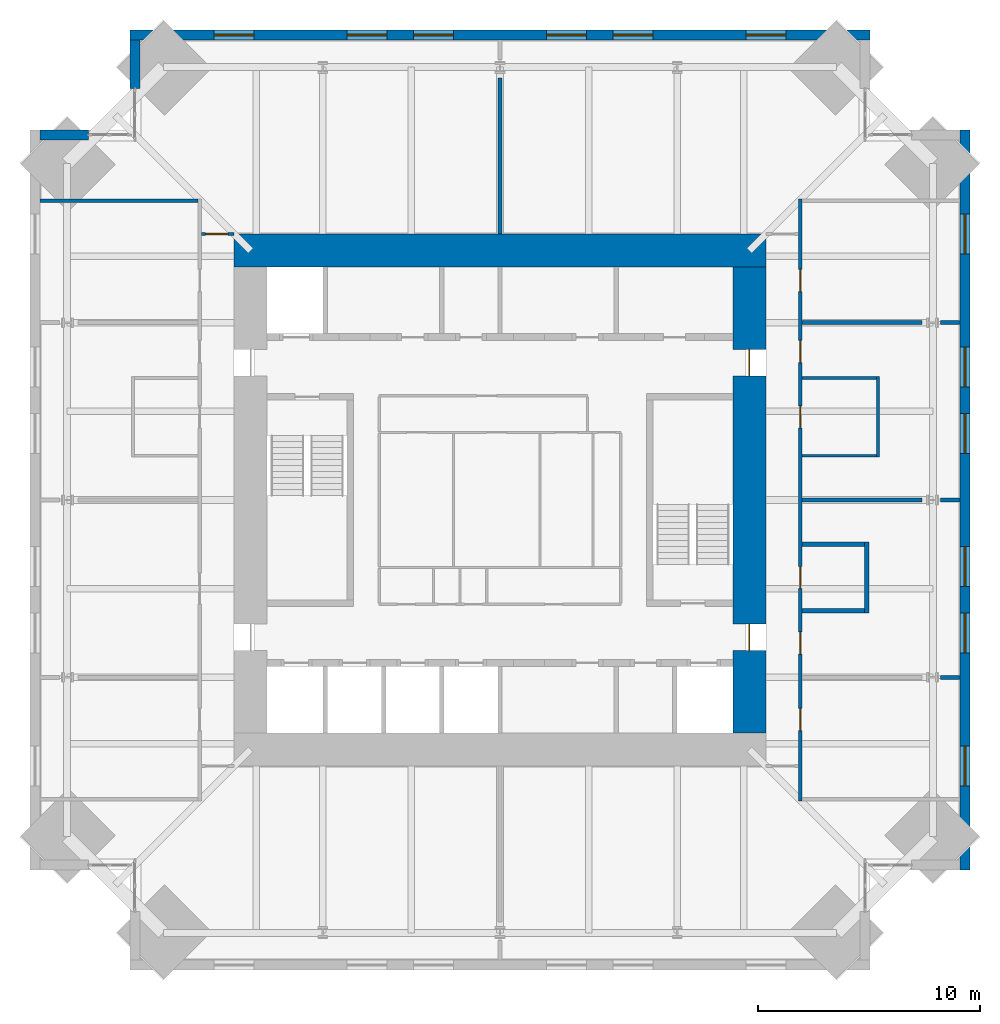
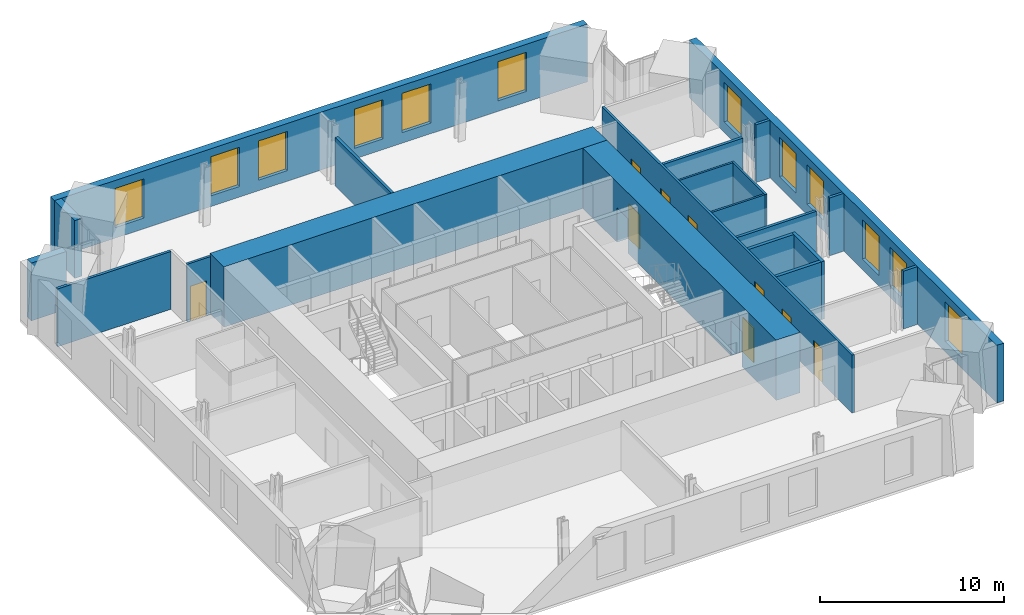
# One storey, part 13 of 15: 21 walls, 12 windows, 9 doors, 21 openings.
"""IFC4 building model written with IfcOpenShell, lengths in metres."""

from ifc_helpers import new_model, si_unit, direction, frame, frame_2d, origin, place, context, subcontext, project, spatial, rectangle, extrude, material, layer, layer_set, type_object, element, fill, save


model = new_model("IFC4")

# Units and contexts
model_context = context("Model", 3, precision=1e-05, world=origin(), true_north=direction((0.0, 1.0)))
body_context = subcontext(model_context, "Body", "Model", "MODEL_VIEW")
ifc_project = project(units=[si_unit("LENGTHUNIT", "METRE"), si_unit("AREAUNIT", "SQUARE_METRE"), si_unit("VOLUMEUNIT", "CUBIC_METRE"), si_unit("PLANEANGLEUNIT", "RADIAN"), si_unit("MASSUNIT", "GRAM", prefix="KILO")], contexts=[model_context])

# Site, building, storey
site_placement = place(None, origin())
site = spatial("IfcSite", under=ifc_project, at=site_placement, CompositionType="ELEMENT")
building_placement = place(site_placement, origin())
building = spatial("IfcBuilding", under=site, at=building_placement, Name="Peilmerk Tower", CompositionType="ELEMENT")
storey_placement = place(building_placement, frame((0.0, 0.0, 281.800048828125)))
storey = spatial("IfcBuildingStorey", under=building, at=storey_placement, Name="L63", CompositionType="ELEMENT", Elevation=281.800048828125)

# Wall, openings, windows
ifc_material_1 = material(Name="Precast concrete C45/55, board-marked finish", Category="concrete")
ifc_layer_1 = layer(ifc_material_1, 0.449951171875)
ifc_layer_set_1 = layer_set([ifc_layer_1], Name="Precast concrete C45/55, board-marked finish")
wall_type_1 = type_object("IfcWallType", Name="EW1 450 precast concrete facade wall, board-marked", PredefinedType="SOLIDWALL", material=ifc_layer_set_1)
wall_1_placement = place(storey_placement, frame((16.699951171875, 20.97509765625, 0.0), z_axis=(0.0, 0.0, 1.0), x_axis=(-1.0, 0.0, 0.0)))
wall_1 = element("IfcWall", 1, at=wall_1_placement, inside=storey, type_object=wall_type_1, Name="Facade wall N L63", PredefinedType="SOLIDWALL", context=body_context, shape_type="SweptSolid", body=[
    extrude(rectangle(XDim=33.39990234375, YDim=0.449951171875, at=frame_2d((16.699951171875, 0.0))), origin(), (0.0, 0.0, 1.0), 3.829833984375),
])
opening_1_placement = place(wall_1_placement, frame((3.800048828125, 0.0, 0.699951171875)))
opening_1 = element("IfcOpeningElement", 2, at=opening_1_placement, cuts=wall_1, Name="Opening W1", PredefinedType="OPENING", context=body_context, shape_type="SweptSolid", body=[
    extrude(rectangle(XDim=1.800048828125, YDim=2.60009765625, at=frame_2d((0.89990234375, 1.300048828125))), frame((0.0, 0.23486328125, 0.0), z_axis=(0.0, -1.0, 0.0), x_axis=(1.0, 0.0, 0.0)), (0.0, 0.0, 1.0), 0.469970703125),
])
opening_2_placement = place(wall_1_placement, frame((9.800048828125, 0.0, 0.699951171875)))
opening_2 = element("IfcOpeningElement", 3, at=opening_2_placement, cuts=wall_1, Name="Opening W1", PredefinedType="OPENING", context=body_context, shape_type="SweptSolid", body=[
    extrude(rectangle(XDim=1.800048828125, YDim=2.60009765625, at=frame_2d((0.89990234375, 1.300048828125))), frame((0.0, 0.23486328125, 0.0), z_axis=(0.0, -1.0, 0.0), x_axis=(1.0, 0.0, 0.0)), (0.0, 0.0, 1.0), 0.469970703125),
])
opening_3_placement = place(wall_1_placement, frame((12.800048828125, 0.0, 0.699951171875)))
opening_3 = element("IfcOpeningElement", 4, at=opening_3_placement, cuts=wall_1, Name="Opening W1", PredefinedType="OPENING", context=body_context, shape_type="SweptSolid", body=[
    extrude(rectangle(XDim=1.800048828125, YDim=2.60009765625, at=frame_2d((0.89990234375, 1.300048828125))), frame((0.0, 0.23486328125, 0.0), z_axis=(0.0, -1.0, 0.0), x_axis=(1.0, 0.0, 0.0)), (0.0, 0.0, 1.0), 0.469970703125),
])
opening_4_placement = place(wall_1_placement, frame((18.800048828125, 0.0, 0.699951171875)))
opening_4 = element("IfcOpeningElement", 5, at=opening_4_placement, cuts=wall_1, Name="Opening W1", PredefinedType="OPENING", context=body_context, shape_type="SweptSolid", body=[
    extrude(rectangle(XDim=1.800048828125, YDim=2.60009765625, at=frame_2d((0.89990234375, 1.300048828125))), frame((0.0, 0.23486328125, 0.0), z_axis=(0.0, -1.0, 0.0), x_axis=(1.0, 0.0, 0.0)), (0.0, 0.0, 1.0), 0.469970703125),
])
opening_5_placement = place(wall_1_placement, frame((21.800048828125, 0.0, 0.699951171875)))
opening_5 = element("IfcOpeningElement", 6, at=opening_5_placement, cuts=wall_1, Name="Opening W1", PredefinedType="OPENING", context=body_context, shape_type="SweptSolid", body=[
    extrude(rectangle(XDim=1.800048828125, YDim=2.60009765625, at=frame_2d((0.89990234375, 1.300048828125))), frame((0.0, 0.23486328125, 0.0), z_axis=(0.0, -1.0, 0.0), x_axis=(1.0, 0.0, 0.0)), (0.0, 0.0, 1.0), 0.469970703125),
])
opening_6_placement = place(wall_1_placement, frame((27.800048828125, 0.0, 0.699951171875)))
opening_6 = element("IfcOpeningElement", 7, at=opening_6_placement, cuts=wall_1, Name="Opening W1", PredefinedType="OPENING", context=body_context, shape_type="SweptSolid", body=[
    extrude(rectangle(XDim=1.800048828125, YDim=2.60009765625, at=frame_2d((0.89990234375, 1.300048828125))), frame((0.0, 0.23486328125, 0.0), z_axis=(0.0, -1.0, 0.0), x_axis=(1.0, 0.0, 0.0)), (0.0, 0.0, 1.0), 0.469970703125),
])
ifc_material_2 = material(Name="Aluminium frame, clear double glazing", Category="aluminium")
window_type = type_object("IfcWindowType", Name="W1 1800x2600 office window", PartitioningType="SINGLE_PANEL", PredefinedType="WINDOW", material=ifc_material_2)
window_1_placement = place(opening_1_placement, origin())
window_1 = element("IfcWindow", 8, at=window_1_placement, inside=storey, type_object=window_type, Name="Window W1 L63", OverallHeight=2.60009765625, OverallWidth=1.800048828125, PartitioningType="SINGLE_PANEL", PredefinedType="WINDOW", context=body_context, shape_type="SweptSolid", body=[
    extrude(rectangle(XDim=1.800048828125, YDim=2.60009765625, at=frame_2d((0.89990234375, 1.300048828125))), frame((0.0, 0.030029296875, 0.0), z_axis=(0.0, -1.0, 0.0), x_axis=(1.0, 0.0, 0.0)), (0.0, 0.0, 1.0), 0.06005859375),
])
fill(opening_1, window_1)
window_2_placement = place(opening_2_placement, origin())
window_2 = element("IfcWindow", 9, at=window_2_placement, inside=storey, type_object=window_type, Name="Window W1 L63", OverallHeight=2.60009765625, OverallWidth=1.800048828125, PartitioningType="SINGLE_PANEL", PredefinedType="WINDOW", context=body_context, shape_type="SweptSolid", body=[
    extrude(rectangle(XDim=1.800048828125, YDim=2.60009765625, at=frame_2d((0.89990234375, 1.300048828125))), frame((0.0, 0.030029296875, 0.0), z_axis=(0.0, -1.0, 0.0), x_axis=(1.0, 0.0, 0.0)), (0.0, 0.0, 1.0), 0.06005859375),
])
fill(opening_2, window_2)
window_3_placement = place(opening_3_placement, origin())
window_3 = element("IfcWindow", 10, at=window_3_placement, inside=storey, type_object=window_type, Name="Window W1 L63", OverallHeight=2.60009765625, OverallWidth=1.800048828125, PartitioningType="SINGLE_PANEL", PredefinedType="WINDOW", context=body_context, shape_type="SweptSolid", body=[
    extrude(rectangle(XDim=1.800048828125, YDim=2.60009765625, at=frame_2d((0.89990234375, 1.300048828125))), frame((0.0, 0.030029296875, 0.0), z_axis=(0.0, -1.0, 0.0), x_axis=(1.0, 0.0, 0.0)), (0.0, 0.0, 1.0), 0.06005859375),
])
fill(opening_3, window_3)
window_4_placement = place(opening_4_placement, origin())
window_4 = element("IfcWindow", 11, at=window_4_placement, inside=storey, type_object=window_type, Name="Window W1 L63", OverallHeight=2.60009765625, OverallWidth=1.800048828125, PartitioningType="SINGLE_PANEL", PredefinedType="WINDOW", context=body_context, shape_type="SweptSolid", body=[
    extrude(rectangle(XDim=1.800048828125, YDim=2.60009765625, at=frame_2d((0.89990234375, 1.300048828125))), frame((0.0, 0.030029296875, 0.0), z_axis=(0.0, -1.0, 0.0), x_axis=(1.0, 0.0, 0.0)), (0.0, 0.0, 1.0), 0.06005859375),
])
fill(opening_4, window_4)
window_5_placement = place(opening_5_placement, origin())
window_5 = element("IfcWindow", 12, at=window_5_placement, inside=storey, type_object=window_type, Name="Window W1 L63", OverallHeight=2.60009765625, OverallWidth=1.800048828125, PartitioningType="SINGLE_PANEL", PredefinedType="WINDOW", context=body_context, shape_type="SweptSolid", body=[
    extrude(rectangle(XDim=1.800048828125, YDim=2.60009765625, at=frame_2d((0.89990234375, 1.300048828125))), frame((0.0, 0.030029296875, 0.0), z_axis=(0.0, -1.0, 0.0), x_axis=(1.0, 0.0, 0.0)), (0.0, 0.0, 1.0), 0.06005859375),
])
fill(opening_5, window_5)
window_6_placement = place(opening_6_placement, origin())
window_6 = element("IfcWindow", 13, at=window_6_placement, inside=storey, type_object=window_type, Name="Window W1 L63", OverallHeight=2.60009765625, OverallWidth=1.800048828125, PartitioningType="SINGLE_PANEL", PredefinedType="WINDOW", context=body_context, shape_type="SweptSolid", body=[
    extrude(rectangle(XDim=1.800048828125, YDim=2.60009765625, at=frame_2d((0.89990234375, 1.300048828125))), frame((0.0, 0.030029296875, 0.0), z_axis=(0.0, -1.0, 0.0), x_axis=(1.0, 0.0, 0.0)), (0.0, 0.0, 1.0), 0.06005859375),
])
fill(opening_6, window_6)

wall_2_placement = place(storey_placement, frame((20.97509765625, -16.699951171875, 0.0), z_axis=(0.0, 0.0, 1.0), x_axis=(0.0, 1.0, 0.0)))
wall_2 = element("IfcWall", 14, at=wall_2_placement, inside=storey, type_object=wall_type_1, Name="Facade wall E L63", PredefinedType="SOLIDWALL", context=body_context, shape_type="SweptSolid", body=[
    extrude(rectangle(XDim=33.39990234375, YDim=0.449951171875, at=frame_2d((16.699951171875, 0.0))), origin(), (0.0, 0.0, 1.0), 3.829833984375),
])
opening_7_placement = place(wall_2_placement, frame((3.800048828125, 0.0, 0.699951171875)))
opening_7 = element("IfcOpeningElement", 15, at=opening_7_placement, cuts=wall_2, Name="Opening W1", PredefinedType="OPENING", context=body_context, shape_type="SweptSolid", body=[
    extrude(rectangle(XDim=1.800048828125, YDim=2.60009765625, at=frame_2d((0.89990234375, 1.300048828125))), frame((0.0, 0.23486328125, 0.0), z_axis=(0.0, -1.0, 0.0), x_axis=(1.0, 0.0, 0.0)), (0.0, 0.0, 1.0), 0.469970703125),
])
opening_8_placement = place(wall_2_placement, frame((9.800048828125, 0.0, 0.699951171875)))
opening_8 = element("IfcOpeningElement", 16, at=opening_8_placement, cuts=wall_2, Name="Opening W1", PredefinedType="OPENING", context=body_context, shape_type="SweptSolid", body=[
    extrude(rectangle(XDim=1.800048828125, YDim=2.60009765625, at=frame_2d((0.89990234375, 1.300048828125))), frame((0.0, 0.23486328125, 0.0), z_axis=(0.0, -1.0, 0.0), x_axis=(1.0, 0.0, 0.0)), (0.0, 0.0, 1.0), 0.469970703125),
])
opening_9_placement = place(wall_2_placement, frame((12.800048828125, 0.0, 0.699951171875)))
opening_9 = element("IfcOpeningElement", 17, at=opening_9_placement, cuts=wall_2, Name="Opening W1", PredefinedType="OPENING", context=body_context, shape_type="SweptSolid", body=[
    extrude(rectangle(XDim=1.800048828125, YDim=2.60009765625, at=frame_2d((0.89990234375, 1.300048828125))), frame((0.0, 0.23486328125, 0.0), z_axis=(0.0, -1.0, 0.0), x_axis=(1.0, 0.0, 0.0)), (0.0, 0.0, 1.0), 0.469970703125),
])
opening_10_placement = place(wall_2_placement, frame((18.800048828125, 0.0, 0.699951171875)))
opening_10 = element("IfcOpeningElement", 18, at=opening_10_placement, cuts=wall_2, Name="Opening W1", PredefinedType="OPENING", context=body_context, shape_type="SweptSolid", body=[
    extrude(rectangle(XDim=1.800048828125, YDim=2.60009765625, at=frame_2d((0.89990234375, 1.300048828125))), frame((0.0, 0.23486328125, 0.0), z_axis=(0.0, -1.0, 0.0), x_axis=(1.0, 0.0, 0.0)), (0.0, 0.0, 1.0), 0.469970703125),
])
opening_11_placement = place(wall_2_placement, frame((21.800048828125, 0.0, 0.699951171875)))
opening_11 = element("IfcOpeningElement", 19, at=opening_11_placement, cuts=wall_2, Name="Opening W1", PredefinedType="OPENING", context=body_context, shape_type="SweptSolid", body=[
    extrude(rectangle(XDim=1.800048828125, YDim=2.60009765625, at=frame_2d((0.89990234375, 1.300048828125))), frame((0.0, 0.23486328125, 0.0), z_axis=(0.0, -1.0, 0.0), x_axis=(1.0, 0.0, 0.0)), (0.0, 0.0, 1.0), 0.469970703125),
])
opening_12_placement = place(wall_2_placement, frame((27.800048828125, 0.0, 0.699951171875)))
opening_12 = element("IfcOpeningElement", 20, at=opening_12_placement, cuts=wall_2, Name="Opening W1", PredefinedType="OPENING", context=body_context, shape_type="SweptSolid", body=[
    extrude(rectangle(XDim=1.800048828125, YDim=2.60009765625, at=frame_2d((0.89990234375, 1.300048828125))), frame((0.0, 0.23486328125, 0.0), z_axis=(0.0, -1.0, 0.0), x_axis=(1.0, 0.0, 0.0)), (0.0, 0.0, 1.0), 0.469970703125),
])
window_7_placement = place(opening_7_placement, origin())
window_7 = element("IfcWindow", 21, at=window_7_placement, inside=storey, type_object=window_type, Name="Window W1 L63", OverallHeight=2.60009765625, OverallWidth=1.800048828125, PartitioningType="SINGLE_PANEL", PredefinedType="WINDOW", context=body_context, shape_type="SweptSolid", body=[
    extrude(rectangle(XDim=1.800048828125, YDim=2.60009765625, at=frame_2d((0.89990234375, 1.300048828125))), frame((0.0, 0.030029296875, 0.0), z_axis=(0.0, -1.0, 0.0), x_axis=(1.0, 0.0, 0.0)), (0.0, 0.0, 1.0), 0.06005859375),
])
fill(opening_7, window_7)
window_8_placement = place(opening_8_placement, origin())
window_8 = element("IfcWindow", 22, at=window_8_placement, inside=storey, type_object=window_type, Name="Window W1 L63", OverallHeight=2.60009765625, OverallWidth=1.800048828125, PartitioningType="SINGLE_PANEL", PredefinedType="WINDOW", context=body_context, shape_type="SweptSolid", body=[
    extrude(rectangle(XDim=1.800048828125, YDim=2.60009765625, at=frame_2d((0.89990234375, 1.300048828125))), frame((0.0, 0.030029296875, 0.0), z_axis=(0.0, -1.0, 0.0), x_axis=(1.0, 0.0, 0.0)), (0.0, 0.0, 1.0), 0.06005859375),
])
fill(opening_8, window_8)
window_9_placement = place(opening_9_placement, origin())
window_9 = element("IfcWindow", 23, at=window_9_placement, inside=storey, type_object=window_type, Name="Window W1 L63", OverallHeight=2.60009765625, OverallWidth=1.800048828125, PartitioningType="SINGLE_PANEL", PredefinedType="WINDOW", context=body_context, shape_type="SweptSolid", body=[
    extrude(rectangle(XDim=1.800048828125, YDim=2.60009765625, at=frame_2d((0.89990234375, 1.300048828125))), frame((0.0, 0.030029296875, 0.0), z_axis=(0.0, -1.0, 0.0), x_axis=(1.0, 0.0, 0.0)), (0.0, 0.0, 1.0), 0.06005859375),
])
fill(opening_9, window_9)
window_10_placement = place(opening_10_placement, origin())
window_10 = element("IfcWindow", 24, at=window_10_placement, inside=storey, type_object=window_type, Name="Window W1 L63", OverallHeight=2.60009765625, OverallWidth=1.800048828125, PartitioningType="SINGLE_PANEL", PredefinedType="WINDOW", context=body_context, shape_type="SweptSolid", body=[
    extrude(rectangle(XDim=1.800048828125, YDim=2.60009765625, at=frame_2d((0.89990234375, 1.300048828125))), frame((0.0, 0.030029296875, 0.0), z_axis=(0.0, -1.0, 0.0), x_axis=(1.0, 0.0, 0.0)), (0.0, 0.0, 1.0), 0.06005859375),
])
fill(opening_10, window_10)
window_11_placement = place(opening_11_placement, origin())
window_11 = element("IfcWindow", 25, at=window_11_placement, inside=storey, type_object=window_type, Name="Window W1 L63", OverallHeight=2.60009765625, OverallWidth=1.800048828125, PartitioningType="SINGLE_PANEL", PredefinedType="WINDOW", context=body_context, shape_type="SweptSolid", body=[
    extrude(rectangle(XDim=1.800048828125, YDim=2.60009765625, at=frame_2d((0.89990234375, 1.300048828125))), frame((0.0, 0.030029296875, 0.0), z_axis=(0.0, -1.0, 0.0), x_axis=(1.0, 0.0, 0.0)), (0.0, 0.0, 1.0), 0.06005859375),
])
fill(opening_11, window_11)
window_12_placement = place(opening_12_placement, origin())
window_12 = element("IfcWindow", 26, at=window_12_placement, inside=storey, type_object=window_type, Name="Window W1 L63", OverallHeight=2.60009765625, OverallWidth=1.800048828125, PartitioningType="SINGLE_PANEL", PredefinedType="WINDOW", context=body_context, shape_type="SweptSolid", body=[
    extrude(rectangle(XDim=1.800048828125, YDim=2.60009765625, at=frame_2d((0.89990234375, 1.300048828125))), frame((0.0, 0.030029296875, 0.0), z_axis=(0.0, -1.0, 0.0), x_axis=(1.0, 0.0, 0.0)), (0.0, 0.0, 1.0), 0.06005859375),
])
fill(opening_12, window_12)

# Walls
for number, where, z_axis, x_axis, name in (
    (27, (-16.47509765625, 18.5537109375, 0.0), (0.0, 0.0, 1.0), (0.0, 1.0, 0.0), "Facade wall NWA L63"),
    (28, (-18.5537109375, 16.47509765625, 0.0), (0.0, 0.0, 1.0), (-1.0, 0.0, 0.0), "Facade wall NWB L63"),
):
    element("IfcWall", number, at=place(storey_placement, frame(where, z_axis=z_axis, x_axis=x_axis)), inside=storey, type_object=wall_type_1, Name=name, PredefinedType="SOLIDWALL", context=body_context, shape_type="SweptSolid", body=[
        extrude(rectangle(XDim=2.1962890625, YDim=0.449951171875, at=frame_2d((1.09814453125, 0.0))), origin(), (0.0, 0.0, 1.0), 3.829833984375),
    ])

# Wall, openings, doors
ifc_material_3 = material(Name="Calcium silicate block", Category="masonry")
ifc_layer_2 = layer(ifc_material_3, 0.14990234375)
ifc_layer_set_2 = layer_set([ifc_layer_2], Name="Calcium silicate block")
wall_type_2 = type_object("IfcWallType", Name="IW1 150 corridor partition, EI 60", PredefinedType="PARTITIONING", material=ifc_layer_set_2)
wall_3_placement = place(storey_placement, frame((13.550048828125, -13.574951171875, 0.0), z_axis=(0.0, 0.0, 1.0), x_axis=(0.0, 1.0, 0.0)))
wall_3 = element("IfcWall", 29, at=wall_3_placement, inside=storey, type_object=wall_type_2, Name="Corridor wall E L63", PredefinedType="PARTITIONING", context=body_context, shape_type="SweptSolid", body=[
    extrude(rectangle(XDim=27.14990234375, YDim=0.14990234375, at=frame_2d((13.574951171875, 0.0))), origin(), (0.0, 0.0, 1.0), 3.829833984375),
])
opening_13_placement = place(wall_3_placement, frame((3.175048828125, 0.0, 0.0)))
opening_13 = element("IfcOpeningElement", 30, at=opening_13_placement, cuts=wall_3, Name="Opening D1", PredefinedType="OPENING", context=body_context, shape_type="SweptSolid", body=[
    extrude(rectangle(XDim=1.0, YDim=2.300048828125, at=frame_2d((0.5, 1.14990234375))), frame((0.0, 0.0849609375, 0.0), z_axis=(0.0, -1.0, 0.0), x_axis=(1.0, 0.0, 0.0)), (0.0, 0.0, 1.0), 0.169921875),
])
opening_14_placement = place(wall_3_placement, frame((6.625, 0.0, 0.0)))
opening_14 = element("IfcOpeningElement", 31, at=opening_14_placement, cuts=wall_3, Name="Opening D1", PredefinedType="OPENING", context=body_context, shape_type="SweptSolid", body=[
    extrude(rectangle(XDim=1.0, YDim=2.300048828125, at=frame_2d((0.5, 1.14990234375))), frame((0.0, 0.0849609375, 0.0), z_axis=(0.0, -1.0, 0.0), x_axis=(1.0, 0.0, 0.0)), (0.0, 0.0, 1.0), 0.169921875),
])
opening_15_placement = place(wall_3_placement, frame((19.77490234375, 0.0, 0.0)))
opening_15 = element("IfcOpeningElement", 32, at=opening_15_placement, cuts=wall_3, Name="Opening D1", PredefinedType="OPENING", context=body_context, shape_type="SweptSolid", body=[
    extrude(rectangle(XDim=1.0, YDim=2.300048828125, at=frame_2d((0.5, 1.14990234375))), frame((0.0, 0.0849609375, 0.0), z_axis=(0.0, -1.0, 0.0), x_axis=(1.0, 0.0, 0.0)), (0.0, 0.0, 1.0), 0.169921875),
])
opening_16_placement = place(wall_3_placement, frame((22.97509765625, 0.0, 0.0)))
opening_16 = element("IfcOpeningElement", 33, at=opening_16_placement, cuts=wall_3, Name="Opening D1", PredefinedType="OPENING", context=body_context, shape_type="SweptSolid", body=[
    extrude(rectangle(XDim=1.0, YDim=2.300048828125, at=frame_2d((0.5, 1.14990234375))), frame((0.0, 0.0849609375, 0.0), z_axis=(0.0, -1.0, 0.0), x_axis=(1.0, 0.0, 0.0)), (0.0, 0.0, 1.0), 0.169921875),
])
opening_17_placement = place(wall_3_placement, frame((16.824951171875, 0.0, 0.0)))
opening_17 = element("IfcOpeningElement", 34, at=opening_17_placement, cuts=wall_3, Name="Opening D1", PredefinedType="OPENING", context=body_context, shape_type="SweptSolid", body=[
    extrude(rectangle(XDim=1.0, YDim=2.300048828125, at=frame_2d((0.5, 1.14990234375))), frame((0.0, 0.0849609375, 0.0), z_axis=(0.0, -1.0, 0.0), x_axis=(1.0, 0.0, 0.0)), (0.0, 0.0, 1.0), 0.169921875),
])
opening_18_placement = place(wall_3_placement, frame((9.574951171875, 0.0, 0.0)))
opening_18 = element("IfcOpeningElement", 35, at=opening_18_placement, cuts=wall_3, Name="Opening D1", PredefinedType="OPENING", context=body_context, shape_type="SweptSolid", body=[
    extrude(rectangle(XDim=1.0, YDim=2.300048828125, at=frame_2d((0.5, 1.14990234375))), frame((0.0, 0.0849609375, 0.0), z_axis=(0.0, -1.0, 0.0), x_axis=(1.0, 0.0, 0.0)), (0.0, 0.0, 1.0), 0.169921875),
])
ifc_material_4 = material(Name="Timber door in steel frame", Category="steel")
door_type_1 = type_object("IfcDoorType", Name="D1 1000x2300 room door, EI2 30", OperationType="SINGLE_SWING_LEFT", PredefinedType="DOOR", material=ifc_material_4)
door_1_placement = place(opening_13_placement, frame((1.0, 0.0, 0.0), z_axis=(0.0, 0.0, 1.0), x_axis=(-1.0, 0.0, 0.0)))
door_1 = element("IfcDoor", 36, at=door_1_placement, inside=storey, type_object=door_type_1, Name="Door Executive office L63", OperationType="SINGLE_SWING_LEFT", OverallHeight=2.300048828125, OverallWidth=1.0, PredefinedType="DOOR", context=body_context, shape_type="SweptSolid", body=[
    extrude(rectangle(XDim=1.0, YDim=2.300048828125, at=frame_2d((0.5, 1.14990234375))), frame((0.0, 0.02490234375, 0.0), z_axis=(0.0, -1.0, 0.0), x_axis=(1.0, 0.0, 0.0)), (0.0, 0.0, 1.0), 0.050048828125),
])
fill(opening_13, door_1)
door_2_placement = place(opening_14_placement, frame((1.0, 0.0, 0.0), z_axis=(0.0, 0.0, 1.0), x_axis=(-1.0, 0.0, 0.0)))
door_2 = element("IfcDoor", 37, at=door_2_placement, inside=storey, type_object=door_type_1, Name="Door Executive office L63", OperationType="SINGLE_SWING_LEFT", OverallHeight=2.300048828125, OverallWidth=1.0, PredefinedType="DOOR", context=body_context, shape_type="SweptSolid", body=[
    extrude(rectangle(XDim=1.0, YDim=2.300048828125, at=frame_2d((0.5, 1.14990234375))), frame((0.0, 0.02490234375, 0.0), z_axis=(0.0, -1.0, 0.0), x_axis=(1.0, 0.0, 0.0)), (0.0, 0.0, 1.0), 0.050048828125),
])
fill(opening_14, door_2)
door_3_placement = place(opening_15_placement, frame((1.0, 0.0, 0.0), z_axis=(0.0, 0.0, 1.0), x_axis=(-1.0, 0.0, 0.0)))
door_3 = element("IfcDoor", 38, at=door_3_placement, inside=storey, type_object=door_type_1, Name="Door Executive office L63", OperationType="SINGLE_SWING_LEFT", OverallHeight=2.300048828125, OverallWidth=1.0, PredefinedType="DOOR", context=body_context, shape_type="SweptSolid", body=[
    extrude(rectangle(XDim=1.0, YDim=2.300048828125, at=frame_2d((0.5, 1.14990234375))), frame((0.0, 0.02490234375, 0.0), z_axis=(0.0, -1.0, 0.0), x_axis=(1.0, 0.0, 0.0)), (0.0, 0.0, 1.0), 0.050048828125),
])
fill(opening_15, door_3)
door_4_placement = place(opening_16_placement, frame((1.0, 0.0, 0.0), z_axis=(0.0, 0.0, 1.0), x_axis=(-1.0, 0.0, 0.0)))
door_4 = element("IfcDoor", 39, at=door_4_placement, inside=storey, type_object=door_type_1, Name="Door Executive office L63", OperationType="SINGLE_SWING_LEFT", OverallHeight=2.300048828125, OverallWidth=1.0, PredefinedType="DOOR", context=body_context, shape_type="SweptSolid", body=[
    extrude(rectangle(XDim=1.0, YDim=2.300048828125, at=frame_2d((0.5, 1.14990234375))), frame((0.0, 0.02490234375, 0.0), z_axis=(0.0, -1.0, 0.0), x_axis=(1.0, 0.0, 0.0)), (0.0, 0.0, 1.0), 0.050048828125),
])
fill(opening_16, door_4)
door_5_placement = place(opening_17_placement, frame((1.0, 0.0, 0.0), z_axis=(0.0, 0.0, 1.0), x_axis=(-1.0, 0.0, 0.0)))
door_5 = element("IfcDoor", 40, at=door_5_placement, inside=storey, type_object=door_type_1, Name="Door Meeting room L63", OperationType="SINGLE_SWING_LEFT", OverallHeight=2.300048828125, OverallWidth=1.0, PredefinedType="DOOR", context=body_context, shape_type="SweptSolid", body=[
    extrude(rectangle(XDim=1.0, YDim=2.300048828125, at=frame_2d((0.5, 1.14990234375))), frame((0.0, 0.02490234375, 0.0), z_axis=(0.0, -1.0, 0.0), x_axis=(1.0, 0.0, 0.0)), (0.0, 0.0, 1.0), 0.050048828125),
])
fill(opening_17, door_5)
door_6_placement = place(opening_18_placement, frame((1.0, 0.0, 0.0), z_axis=(0.0, 0.0, 1.0), x_axis=(-1.0, 0.0, 0.0)))
door_6 = element("IfcDoor", 41, at=door_6_placement, inside=storey, type_object=door_type_1, Name="Door Print room L63", OperationType="SINGLE_SWING_LEFT", OverallHeight=2.300048828125, OverallWidth=1.0, PredefinedType="DOOR", context=body_context, shape_type="SweptSolid", body=[
    extrude(rectangle(XDim=1.0, YDim=2.300048828125, at=frame_2d((0.5, 1.14990234375))), frame((0.0, 0.02490234375, 0.0), z_axis=(0.0, -1.0, 0.0), x_axis=(1.0, 0.0, 0.0)), (0.0, 0.0, 1.0), 0.050048828125),
])
fill(opening_18, door_6)

# Wall, opening, door
wall_4_placement = place(storey_placement, frame((-13.47509765625, 12.0, 0.0), z_axis=(0.0, 0.0, 1.0), x_axis=(1.0, 0.0, 0.0)))
wall_4 = element("IfcWall", 42, at=wall_4_placement, inside=storey, type_object=wall_type_2, Name="Corridor wall NW L63", PredefinedType="PARTITIONING", context=body_context, shape_type="SweptSolid", body=[
    extrude(rectangle(XDim=1.47509765625, YDim=0.14990234375, at=frame_2d((0.737548828125, 0.0))), origin(), (0.0, 0.0, 1.0), 3.829833984375),
])
opening_19_placement = place(wall_4_placement, frame((0.199951171875, 0.0, 0.0)))
opening_19 = element("IfcOpeningElement", 43, at=opening_19_placement, cuts=wall_4, Name="Opening D1", PredefinedType="OPENING", context=body_context, shape_type="SweptSolid", body=[
    extrude(rectangle(XDim=1.0, YDim=2.300048828125, at=frame_2d((0.5, 1.14990234375))), frame((0.0, 0.0849609375, 0.0), z_axis=(0.0, -1.0, 0.0), x_axis=(1.0, 0.0, 0.0)), (0.0, 0.0, 1.0), 0.169921875),
])
door_7_placement = place(opening_19_placement, origin())
door_7 = element("IfcDoor", 44, at=door_7_placement, inside=storey, type_object=door_type_1, Name="Door Office L63", OperationType="SINGLE_SWING_LEFT", OverallHeight=2.300048828125, OverallWidth=1.0, PredefinedType="DOOR", context=body_context, shape_type="SweptSolid", body=[
    extrude(rectangle(XDim=1.0, YDim=2.300048828125, at=frame_2d((0.5, 1.14990234375))), frame((0.0, 0.02490234375, 0.0), z_axis=(0.0, -1.0, 0.0), x_axis=(1.0, 0.0, 0.0)), (0.0, 0.0, 1.0), 0.050048828125),
])
fill(opening_19, door_7)

# Walls
ifc_layer_3 = layer(ifc_material_3, 0.199951171875)
ifc_layer_set_3 = layer_set([ifc_layer_3], Name="Calcium silicate block")
wall_type_3 = type_object("IfcWallType", Name="IW2 200 room separating wall, EI 120", PredefinedType="PARTITIONING", material=ifc_layer_set_3)
wall_5_placement = place(storey_placement, frame((16.550048828125, -5.10009765625, 0.0), z_axis=(0.0, 0.0, 1.0), x_axis=(0.0, 1.0, 0.0)))
element("IfcWall", 45, at=wall_5_placement, inside=storey, type_object=wall_type_3, Name="Room separating wall Print room L63", PredefinedType="PARTITIONING", context=body_context, shape_type="SweptSolid", body=[
    extrude(rectangle(XDim=3.2001953125, YDim=0.199951171875, at=frame_2d((1.60009765625, 0.0))), origin(), (0.0, 0.0, 1.0), 3.829833984375),
])
for number, where, z_axis, x_axis, name in (
    (46, (13.625, -5.0, 0.0), (0.0, 0.0, 1.0), (1.0, 0.0, 0.0), "Room separating wall Print room L63"),
    (47, (13.625, -2.0, 0.0), (0.0, 0.0, 1.0), (1.0, 0.0, 0.0), "Room separating wall Print room L63"),
):
    element("IfcWall", number, at=place(storey_placement, frame(where, z_axis=z_axis, x_axis=x_axis)), inside=storey, type_object=wall_type_3, Name=name, PredefinedType="PARTITIONING", context=body_context, shape_type="SweptSolid", body=[
        extrude(rectangle(XDim=2.824951171875, YDim=0.199951171875, at=frame_2d((1.41259765625, 0.0))), origin(), (0.0, 0.0, 1.0), 3.829833984375),
    ])
ifc_material_5 = material(Name="Plasterboard on steel studs, double boarded with mineral wool", Category="steel")
ifc_layer_4 = layer(ifc_material_5, 0.125)
ifc_layer_set_4 = layer_set([ifc_layer_4], Name="Plasterboard on steel studs, double boarded with mineral wool")
wall_type_4 = type_object("IfcWallType", Name="IW7 125 acoustic partition, EI 30", PredefinedType="PARTITIONING", material=ifc_layer_set_4)
wall_6_placement = place(storey_placement, frame((17.050048828125, 1.9375, 0.0), z_axis=(0.0, 0.0, 1.0), x_axis=(0.0, 1.0, 0.0)))
element("IfcWall", 48, at=wall_6_placement, inside=storey, type_object=wall_type_4, Name="Acoustic partition Meeting room L63", PredefinedType="PARTITIONING", context=body_context, shape_type="SweptSolid", body=[
    extrude(rectangle(XDim=3.625, YDim=0.125, at=frame_2d((1.8125, 0.0))), origin(), (0.0, 0.0, 1.0), 3.829833984375),
])
for number, where, z_axis, x_axis, name in (
    (49, (13.625, 2.0, 0.0), (0.0, 0.0, 1.0), (1.0, 0.0, 0.0), "Acoustic partition Meeting room L63"),
    (50, (13.625, 5.5, 0.0), (0.0, 0.0, 1.0), (1.0, 0.0, 0.0), "Acoustic partition Meeting room L63"),
):
    element("IfcWall", number, at=place(storey_placement, frame(where, z_axis=z_axis, x_axis=x_axis)), inside=storey, type_object=wall_type_4, Name=name, PredefinedType="PARTITIONING", context=body_context, shape_type="SweptSolid", body=[
        extrude(rectangle(XDim=3.362548828125, YDim=0.125, at=frame_2d((1.68115234375, 0.0))), origin(), (0.0, 0.0, 1.0), 3.829833984375),
    ])
ifc_layer_5 = layer(ifc_material_3, 0.175048828125)
ifc_layer_set_5 = layer_set([ifc_layer_5], Name="Calcium silicate block")
wall_type_5 = type_object("IfcWallType", Name="IW8 175 tenant separating wall, EI 60", PredefinedType="PARTITIONING", material=ifc_layer_set_5)
wall_7_placement = place(storey_placement, frame((-20.75, 13.5, 0.0), z_axis=(0.0, 0.0, 1.0), x_axis=(1.0, 0.0, 0.0)))
element("IfcWall", 51, at=wall_7_placement, inside=storey, type_object=wall_type_5, Name="Tenant separating wall NW L63", PredefinedType="PARTITIONING", context=body_context, shape_type="SweptSolid", body=[
    extrude(rectangle(XDim=7.125, YDim=0.175048828125, at=frame_2d((3.5625, 0.0))), origin(), (0.0, 0.0, 1.0), 3.829833984375),
])
wall_8_placement = place(storey_placement, frame((0.0, 12.0, 0.0), z_axis=(0.0, 0.0, 1.0), x_axis=(0.0, 1.0, 0.0)))
element("IfcWall", 52, at=wall_8_placement, inside=storey, type_object=wall_type_5, Name="Tenant separating wall N1 L63", PredefinedType="PARTITIONING", context=body_context, shape_type="SweptSolid", body=[
    extrude(rectangle(XDim=7.04296875, YDim=0.175048828125, at=frame_2d((3.521484375, 0.0))), origin(), (0.0, 0.0, 1.0), 3.239990234375),
])
wall_9_placement = place(storey_placement, frame((19.863525390625, -8.0, 0.0), z_axis=(0.0, 0.0, 1.0), x_axis=(1.0, 0.0, 0.0)))
element("IfcWall", 53, at=wall_9_placement, inside=storey, type_object=wall_type_5, Name="Tenant separating wall E1b L63", PredefinedType="PARTITIONING", context=body_context, shape_type="SweptSolid", body=[
    extrude(rectangle(XDim=0.886474609375, YDim=0.175048828125, at=frame_2d((0.443359375, 0.0))), origin(), (0.0, 0.0, 1.0), 3.829833984375),
])
wall_10_placement = place(storey_placement, frame((13.625, 0.0, 0.0), z_axis=(0.0, 0.0, 1.0), x_axis=(1.0, 0.0, 0.0)))
element("IfcWall", 54, at=wall_10_placement, inside=storey, type_object=wall_type_5, Name="Tenant separating wall E2 L63", PredefinedType="PARTITIONING", context=body_context, shape_type="SweptSolid", body=[
    extrude(rectangle(XDim=5.41796875, YDim=0.175048828125, at=frame_2d((2.708984375, 0.0))), origin(), (0.0, 0.0, 1.0), 3.239990234375),
])
wall_11_placement = place(storey_placement, frame((19.863525390625, 0.0, 0.0), z_axis=(0.0, 0.0, 1.0), x_axis=(1.0, 0.0, 0.0)))
element("IfcWall", 55, at=wall_11_placement, inside=storey, type_object=wall_type_5, Name="Tenant separating wall E2b L63", PredefinedType="PARTITIONING", context=body_context, shape_type="SweptSolid", body=[
    extrude(rectangle(XDim=0.886474609375, YDim=0.175048828125, at=frame_2d((0.443359375, 0.0))), origin(), (0.0, 0.0, 1.0), 3.829833984375),
])
wall_12_placement = place(storey_placement, frame((13.625, 8.0, 0.0), z_axis=(0.0, 0.0, 1.0), x_axis=(1.0, 0.0, 0.0)))
element("IfcWall", 56, at=wall_12_placement, inside=storey, type_object=wall_type_5, Name="Tenant separating wall E3 L63", PredefinedType="PARTITIONING", context=body_context, shape_type="SweptSolid", body=[
    extrude(rectangle(XDim=5.41796875, YDim=0.175048828125, at=frame_2d((2.708984375, 0.0))), origin(), (0.0, 0.0, 1.0), 3.239990234375),
])
wall_13_placement = place(storey_placement, frame((19.863525390625, 8.0, 0.0), z_axis=(0.0, 0.0, 1.0), x_axis=(1.0, 0.0, 0.0)))
element("IfcWall", 57, at=wall_13_placement, inside=storey, type_object=wall_type_5, Name="Tenant separating wall E3b L63", PredefinedType="PARTITIONING", context=body_context, shape_type="SweptSolid", body=[
    extrude(rectangle(XDim=0.886474609375, YDim=0.175048828125, at=frame_2d((0.443359375, 0.0))), origin(), (0.0, 0.0, 1.0), 3.829833984375),
])
ifc_material_6 = material(Name="Concrete C55/67", Category="concrete")
ifc_layer_6 = layer(ifc_material_6, 1.5)
ifc_layer_set_6 = layer_set([ifc_layer_6], Name="Concrete C55/67")
wall_type_6 = type_object("IfcWallType", Name="SW1 1500 core wall", PredefinedType="SHEAR", material=ifc_layer_set_6)
wall_14_placement = place(storey_placement, frame((-12.0, 11.25, 0.0), z_axis=(0.0, 0.0, 1.0), x_axis=(1.0, 0.0, 0.0)))
element("IfcWall", 58, at=wall_14_placement, inside=storey, type_object=wall_type_6, Name="Core wall N L63", PredefinedType="SHEAR", context=body_context, shape_type="SweptSolid", body=[
    extrude(rectangle(XDim=24.0, YDim=1.5, at=frame_2d((12.0, 0.0))), origin(), (0.0, 0.0, 1.0), 4.0),
])

# Wall, openings, doors
wall_15_placement = place(storey_placement, frame((11.25, 10.5, 0.0), z_axis=(0.0, 0.0, 1.0), x_axis=(0.0, -1.0, 0.0)))
wall_15 = element("IfcWall", 59, at=wall_15_placement, inside=storey, type_object=wall_type_6, Name="Core wall E L63", PredefinedType="SHEAR", context=body_context, shape_type="SweptSolid", body=[
    extrude(rectangle(XDim=21.0, YDim=1.5, at=frame_2d((10.5, 0.0))), origin(), (0.0, 0.0, 1.0), 4.0),
])
opening_20_placement = place(wall_15_placement, frame((3.699951171875, 0.0, 0.0)))
opening_20 = element("IfcOpeningElement", 60, at=opening_20_placement, cuts=wall_15, Name="Opening D3", PredefinedType="OPENING", context=body_context, shape_type="SweptSolid", body=[
    extrude(rectangle(XDim=1.199951171875, YDim=2.300048828125, at=frame_2d((0.60009765625, 1.14990234375))), frame((0.0, 0.760009765625, 0.0), z_axis=(0.0, -1.0, 0.0), x_axis=(1.0, 0.0, 0.0)), (0.0, 0.0, 1.0), 1.52001953125),
])
opening_21_placement = place(wall_15_placement, frame((16.10009765625, 0.0, 0.0)))
opening_21 = element("IfcOpeningElement", 61, at=opening_21_placement, cuts=wall_15, Name="Opening D3", PredefinedType="OPENING", context=body_context, shape_type="SweptSolid", body=[
    extrude(rectangle(XDim=1.199951171875, YDim=2.300048828125, at=frame_2d((0.60009765625, 1.14990234375))), frame((0.0, 0.760009765625, 0.0), z_axis=(0.0, -1.0, 0.0), x_axis=(1.0, 0.0, 0.0)), (0.0, 0.0, 1.0), 1.52001953125),
])
ifc_material_7 = material(Name="Steel door in steel frame", Category="steel")
door_type_2 = type_object("IfcDoorType", Name="D3 1200x2300 core door, EI2 60", OperationType="SINGLE_SWING_LEFT", PredefinedType="DOOR", material=ifc_material_7)
door_8_placement = place(opening_20_placement, frame((1.199951171875, 0.0, 0.0), z_axis=(0.0, 0.0, 1.0), x_axis=(-1.0, 0.0, 0.0)))
door_8 = element("IfcDoor", 62, at=door_8_placement, inside=storey, type_object=door_type_2, Name="Core door L63", OperationType="SINGLE_SWING_LEFT", OverallHeight=2.300048828125, OverallWidth=1.199951171875, PredefinedType="DOOR", context=body_context, shape_type="SweptSolid", body=[
    extrude(rectangle(XDim=1.199951171875, YDim=2.300048828125, at=frame_2d((0.60009765625, 1.14990234375))), frame((0.0, 0.02490234375, 0.0), z_axis=(0.0, -1.0, 0.0), x_axis=(1.0, 0.0, 0.0)), (0.0, 0.0, 1.0), 0.050048828125),
])
fill(opening_20, door_8)
door_9_placement = place(opening_21_placement, frame((1.199951171875, 0.0, 0.0), z_axis=(0.0, 0.0, 1.0), x_axis=(-1.0, 0.0, 0.0)))
door_9 = element("IfcDoor", 63, at=door_9_placement, inside=storey, type_object=door_type_2, Name="Core door L63", OperationType="SINGLE_SWING_LEFT", OverallHeight=2.300048828125, OverallWidth=1.199951171875, PredefinedType="DOOR", context=body_context, shape_type="SweptSolid", body=[
    extrude(rectangle(XDim=1.199951171875, YDim=2.300048828125, at=frame_2d((0.60009765625, 1.14990234375))), frame((0.0, 0.02490234375, 0.0), z_axis=(0.0, -1.0, 0.0), x_axis=(1.0, 0.0, 0.0)), (0.0, 0.0, 1.0), 0.050048828125),
])
fill(opening_21, door_9)

save(model, "model.ifc")
